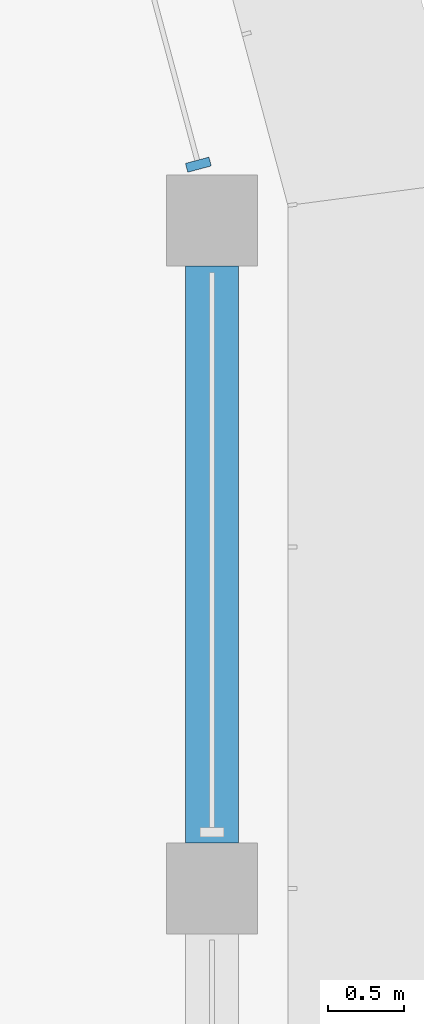
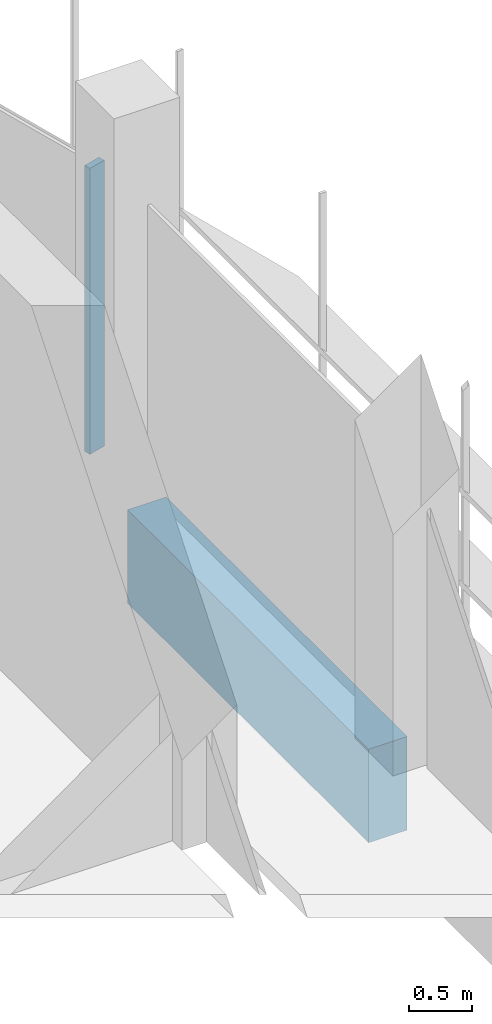
# One storey, part 10 of 19: 1 beam, 1 member, 1 element without a shape of its own.
"""IFC4 building model written with IfcOpenShell, lengths in metres."""

import ifcopenshell
import ifcopenshell.guid

model = None  # the IFC model being written
_history = None  # IfcOwnerHistory: only IFC2X3 demands one
_inside = {}  # id of a spatial element -> (the spatial element, [elements in it])
_under = {}  # id of a project, library or spatial element -> (it, [spatial elements below it])
_declared = {}  # id of a project -> (the project, [libraries it declares])
_typed = {}  # id of a type object -> (the type object, [elements of that type])
_made_of = {}  # id of a material, layer set ... -> (it, [elements and type objects made of it])


def new_model(schema):
    """Start an empty IFC model of exactly this schema.

    Asked for "IFC4X3", IfcOpenShell would pick the latest addendum, in which some entities
    have other attributes; the version numbers below select the first issue.
    IFC2X3 requires an IfcOwnerHistory on every rooted entity: one is made here for all.
    """
    global model, _history
    if schema == "IFC4X3":
        model = ifcopenshell.file(schema_version=(4, 3, 0, 0))
    else:
        model = ifcopenshell.file(schema=schema)
    _inside.clear()
    _under.clear()
    _declared.clear()
    _typed.clear()
    _made_of.clear()
    _history = None
    if model.schema == "IFC2X3":
        org = make("IfcOrganization", Name="unknown")
        user = make(
            "IfcPersonAndOrganization",
            ThePerson=make("IfcPerson", FamilyName="unknown"),
            TheOrganization=org,
        )
        app = make(
            "IfcApplication",
            ApplicationDeveloper=org,
            Version="unknown",
            ApplicationFullName="unknown",
            ApplicationIdentifier="unknown",
        )
        _history = make(
            "IfcOwnerHistory",
            OwningUser=user,
            OwningApplication=app,
            ChangeAction="ADDED",
            CreationDate=0,
        )
    return model


def make(cls, **values):
    """One entity of the class cls with the attributes given. An attribute that is None is left unset."""
    return model.create_entity(
        cls, **{name: value for name, value in values.items() if value is not None}
    )


def rooted(cls, **values):
    """An entity with a GlobalId (a new one), such as an element, a storey or a relation."""
    return make(cls, GlobalId=ifcopenshell.guid.new(), OwnerHistory=_history, **values)


def si_unit(unit_type, name, prefix=None):
    """IfcSIUnit, for example si_unit("LENGTHUNIT", "METRE", prefix="MILLI")."""
    return make("IfcSIUnit", UnitType=unit_type, Prefix=prefix, Name=name)


def assignment(units):
    """IfcUnitAssignment: the units of a project."""
    return None if units is None else make("IfcUnitAssignment", Units=units)


def point(xyz):
    """IfcCartesianPoint."""
    return None if xyz is None else make("IfcCartesianPoint", Coordinates=xyz)


def direction(xyz):
    """IfcDirection."""
    return None if xyz is None else make("IfcDirection", DirectionRatios=xyz)


def frame(location, z_axis=None, x_axis=None):
    """IfcAxis2Placement3D, a coordinate frame: its origin and axes. An axis left out is left unset."""
    return make(
        "IfcAxis2Placement3D",
        Location=point(location),
        Axis=direction(z_axis),
        RefDirection=direction(x_axis),
    )


def frame_2d(location, x_axis=None):
    """IfcAxis2Placement2D, a coordinate frame in the plane: its origin and x axis."""
    return make(
        "IfcAxis2Placement2D", Location=point(location), RefDirection=direction(x_axis)
    )


def origin():
    """The frame at (0, 0, 0) with its axes left unset."""
    return frame((0.0, 0.0, 0.0))


def origin_2d():
    """The frame at (0, 0) in the plane with its x axis left unset."""
    return frame_2d((0.0, 0.0))


def place(relative_to, where):
    """IfcLocalPlacement: puts the frame where relative to a parent placement (None: the world)."""
    return make(
        "IfcLocalPlacement", PlacementRelTo=relative_to, RelativePlacement=where
    )


def context(
    kind, dimensions, precision=None, world=None, true_north=None, identifier=None
):
    """IfcGeometricRepresentationContext, for example the 3D "Model" context."""
    return make(
        "IfcGeometricRepresentationContext",
        ContextIdentifier=identifier,
        ContextType=kind,
        CoordinateSpaceDimension=dimensions,
        Precision=precision,
        WorldCoordinateSystem=world,
        TrueNorth=true_north,
    )


def subcontext(parent, identifier, kind, view, scale=None):
    """IfcGeometricRepresentationSubContext, for example "Body" below "Model"."""
    return make(
        "IfcGeometricRepresentationSubContext",
        ContextIdentifier=identifier,
        ContextType=kind,
        ParentContext=parent,
        TargetScale=scale,
        TargetView=view,
    )


def project(units=None, contexts=None):
    """IfcProject with its units and contexts."""
    return rooted(
        "IfcProject",
        Name="project",
        RepresentationContexts=contexts,
        UnitsInContext=assignment(units),
    )


def spatial(cls, under=None, at=None, **own):
    """A site, building, storey or space (cls), placed at a placement, below another one or the project."""
    s = rooted(cls, ObjectPlacement=at, **own)
    if under is not None:
        _under.setdefault(under.id(), (under, []))[1].append(s)
    return s


def polyline(points):
    """IfcPolyline through the points."""
    return make("IfcPolyline", Points=[point(p) for p in points])


def profile(cls, at=None, kind="AREA", **sizes):
    """A parametric profile (cls). Its sizes go by their IFC names, for example OverallWidth=200.0."""
    return make(cls, ProfileType=kind, Position=at, **sizes)


def rectangle(**sizes):
    """IfcRectangleProfileDef."""
    return profile("IfcRectangleProfileDef", **sizes)


def outline(outer, holes=None, kind="AREA"):
    """IfcArbitraryClosedProfileDef: a profile drawn as a closed curve; with holes, ...WithVoids."""
    if holes is None:
        return make("IfcArbitraryClosedProfileDef", ProfileType=kind, OuterCurve=outer)
    return make(
        "IfcArbitraryProfileDefWithVoids",
        ProfileType=kind,
        OuterCurve=outer,
        InnerCurves=holes,
    )


def extrude(swept, where, along, depth):
    """IfcExtrudedAreaSolid: the profile swept, set in the frame where, extruded along a direction by depth."""
    return make(
        "IfcExtrudedAreaSolid",
        SweptArea=swept,
        Position=where,
        ExtrudedDirection=direction(along),
        Depth=depth,
    )


def shape(context_of_items, identifier, shape_type, items):
    """IfcShapeRepresentation: the items that make up one representation, for example the "Body"."""
    return make(
        "IfcShapeRepresentation",
        ContextOfItems=context_of_items,
        RepresentationIdentifier=identifier,
        RepresentationType=shape_type,
        Items=items,
    )


def source(mapping_origin, context_of_items, identifier, shape_type, items):
    """IfcRepresentationMap: a shape defined once, which mapped items show again and again."""
    return make(
        "IfcRepresentationMap",
        MappingOrigin=mapping_origin,
        MappedRepresentation=shape(context_of_items, identifier, shape_type, items),
    )


def transform(
    local_origin,
    x_axis=None,
    y_axis=None,
    z_axis=None,
    scale=None,
    scale2=None,
    scale3=None,
    uniform=True,
):
    """IfcCartesianTransformationOperator3D, or its non-uniform kind. x_axis, y_axis, z_axis: its Axis1, 2, 3."""
    if uniform:
        return make(
            "IfcCartesianTransformationOperator3D",
            Axis1=direction(x_axis),
            Axis2=direction(y_axis),
            LocalOrigin=point(local_origin),
            Scale=scale,
            Axis3=direction(z_axis),
        )
    return make(
        "IfcCartesianTransformationOperator3DnonUniform",
        Axis1=direction(x_axis),
        Axis2=direction(y_axis),
        LocalOrigin=point(local_origin),
        Scale=scale,
        Axis3=direction(z_axis),
        Scale2=scale2,
        Scale3=scale3,
    )


def mapped(mapping_source, mapping_target):
    """IfcMappedItem: shows the shape of a source again, moved by a transform."""
    return make(
        "IfcMappedItem", MappingSource=mapping_source, MappingTarget=mapping_target
    )


def material(Name=None, Category=None):
    """IfcMaterial."""
    return make("IfcMaterial", Name=Name, Category=Category)


def material_profile(
    of_material, cross_section, Name=None, Category=None, Priority=None
):
    """IfcMaterialProfile: a cross section and its material."""
    return make(
        "IfcMaterialProfile",
        Name=Name,
        Material=of_material,
        Profile=cross_section,
        Priority=Priority,
        Category=Category,
    )


def profile_set(profiles, Name=None, composite=None):
    """IfcMaterialProfileSet."""
    return make(
        "IfcMaterialProfileSet",
        Name=Name,
        MaterialProfiles=profiles,
        CompositeProfile=composite,
    )


def made_of(thing, what):
    """Note that an element or type object is made of a material, layer set ...; save() writes the relation."""
    if what is not None:
        _made_of.setdefault(what.id(), (what, []))[1].append(thing)
    return thing


def type_object(cls, material=None, **own):
    """A type object (cls), such as IfcWallType, which elements share."""
    return made_of(rooted(cls, **own), material)


def element(
    cls,
    number,
    at=None,
    inside=None,
    cuts=None,
    type_object=None,
    material=None,
    context=None,
    identifier="Body",
    shape_type=None,
    held_by="IfcProductDefinitionShape",
    body=None,
    shapes=None,
    **own,
):
    """One element of the class cls, such as IfcWall. Its Tag is "e" and its number.

    at: its placement. inside: the storey or other place that contains it. cuts: it is an
    opening in that element (IfcRelVoidsElement). A single representation is given by context,
    identifier, shape_type and body (its items); several are given by shapes. held_by: the class
    of the entity that holds the representations. save() writes the other relations.
    """
    e = rooted(cls, Tag="e%d" % number, ObjectPlacement=at, **own)
    if body is not None:
        shapes = [shape(context, identifier, shape_type, body)]
    if shapes is not None:
        e.Representation = make(held_by, Representations=shapes)
    if inside is not None:
        _inside.setdefault(inside.id(), (inside, []))[1].append(e)
    if cuts is not None:
        rooted(
            "IfcRelVoidsElement", RelatingBuildingElement=cuts, RelatedOpeningElement=e
        )
    if type_object is not None:
        _typed.setdefault(type_object.id(), (type_object, []))[1].append(e)
    return made_of(e, material)


def aggregate(whole, parts):
    """IfcRelAggregates: a whole, such as a stair, and the parts it consists of."""
    return rooted("IfcRelAggregates", RelatingObject=whole, RelatedObjects=parts)


def save(model, path):
    """Write the relations noted so far, then the file.

    IfcRelAggregates (storeys below a building ...), IfcRelContainedInSpatialStructure (elements
    in a storey), IfcRelDefinesByType, IfcRelAssociatesMaterial and IfcRelDeclares: one each for
    every whole, place, type object, material and project.
    """
    for whole, parts in _under.values():
        aggregate(whole, parts)
    for where, things in _inside.values():
        rooted(
            "IfcRelContainedInSpatialStructure",
            RelatedElements=things,
            RelatingStructure=where,
        )
    for kind, things in _typed.values():
        rooted("IfcRelDefinesByType", RelatedObjects=things, RelatingType=kind)
    for what, things in _made_of.values():
        rooted("IfcRelAssociatesMaterial", RelatedObjects=things, RelatingMaterial=what)
    for by, libraries in _declared.values():
        rooted("IfcRelDeclares", RelatingContext=by, RelatedDefinitions=libraries)
    model.write(path)


model = new_model("IFC4")

# Units and contexts
model_context = context("Model", 3, precision=1e-05, world=origin(), true_north=direction((0.0, 1.0)))
body_context = subcontext(model_context, "Body", "Model", "MODEL_VIEW")
ifc_project = project(units=[si_unit("LENGTHUNIT", "METRE"), si_unit("AREAUNIT", "SQUARE_METRE"), si_unit("VOLUMEUNIT", "CUBIC_METRE"), si_unit("PLANEANGLEUNIT", "RADIAN"), si_unit("MASSUNIT", "GRAM", prefix="KILO")], contexts=[model_context])

# Site, building, storey
site_placement = place(None, origin())
site = spatial("IfcSite", under=ifc_project, at=site_placement, CompositionType="ELEMENT")
building_placement = place(site_placement, origin())
building = spatial("IfcBuilding", under=site, at=building_placement, Name="Zarbagh Exchange Tower", CompositionType="ELEMENT")
storey_placement = place(building_placement, frame((0.0, 0.0, 261.199951171875)))
storey = spatial("IfcBuildingStorey", under=building, at=storey_placement, Name="L64", CompositionType="ELEMENT", Elevation=261.199951171875)

# Beam
ifc_material_1 = material(Name="Concrete C40/50", Category="concrete")
ifc_material_profile = material_profile(ifc_material_1, rectangle(XDim=0.35009765625, YDim=0.89990234375, at=origin_2d()), Name="RC spandrel beam 350 x 900 C40/50")
ifc_profile_set = profile_set([ifc_material_profile], Name="Concrete C40/50")
beam_type = type_object("IfcBeamType", Name="RC spandrel beam 350 x 900 C40/50", PredefinedType="SPANDREL", material=ifc_profile_set)
beam_placement = place(storey_placement, frame((6.25, 24.35009765625, -0.599853515625), z_axis=(0.0, -1.0, 0.0), x_axis=(1.0, 0.0, 0.0)))
element("IfcBeam", 1, at=beam_placement, inside=storey, type_object=beam_type, Name="RC spandrel beam", PredefinedType="SPANDREL", context=body_context, shape_type="SweptSolid", body=[
    extrude(rectangle(XDim=0.35009765625, YDim=0.89990234375, at=origin_2d()), origin(), (0.0, 0.0, 1.0), 3.800048828125),
])

# Curtain wall, member
ifc_material_2 = material(Name="Anodised aluminium frame and glazing", Category="aluminium")
curtain_wall_type = type_object("IfcCurtainWallType", Name="CWB Ribbon glazing, upper zones", PredefinedType="NOTDEFINED", material=ifc_material_2)
curtain_wall_placement = place(storey_placement, origin())
curtain_wall = element("IfcCurtainWall", 2, at=curtain_wall_placement, inside=storey, type_object=curtain_wall_type, Name="CWB68 curtain wall", PredefinedType="NOTDEFINED")
ifc_material_3 = material(Name="Anodised aluminium frame", Category="aluminium")
member_type = type_object("IfcMemberType", Name="MUB Mullion, anodised aluminium frame", PredefinedType="MULLION", material=ifc_material_3)
shared_shape = source(origin(), body_context, "Body", "SweptSolid", [
    extrude(outline(polyline([(0.0, -0.080078125), (0.06005859375, -0.080078125), (0.06005859375, 0.080078125), (0.0, 0.080078125), (0.0, -0.080078125)])), origin(), (0.0, 0.0, 1.0), 2.75),
])
member_placement = place(storey_placement, origin())
member = element("IfcMember", 3, at=member_placement, type_object=member_type, Name="CWB68 mullion 1.1", PredefinedType="MULLION", context=body_context, shape_type="MappedRepresentation", body=[
    mapped(shared_shape, transform((6.16796875, 24.989990234375, 0.0), x_axis=(-0.258824779902, 0.965924289636, 0.0), y_axis=(-0.965924289636, -0.258824779902, 0.0), z_axis=(0.0, 0.0, 1.0))),
])
aggregate(curtain_wall, [member])

save(model, "model.ifc")
